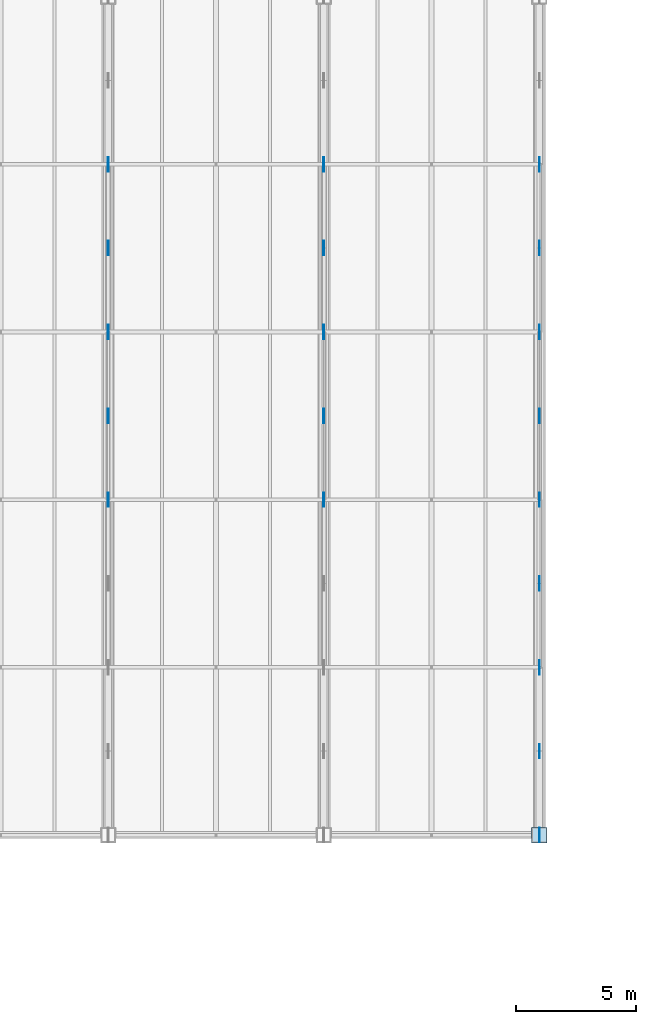
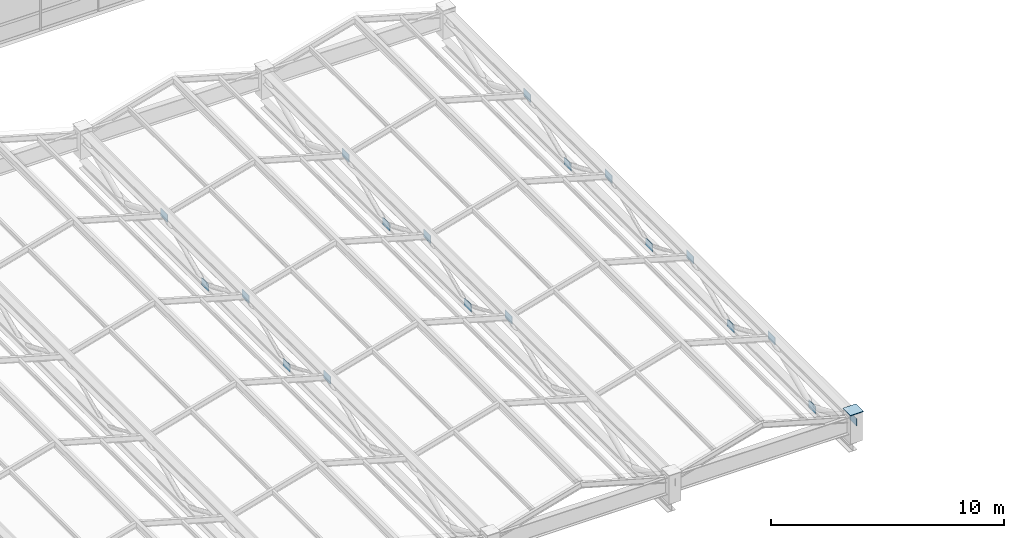
# One storey, part 72 of 108: 20 plates.
"""IFC4 building model written with IfcOpenShell, lengths in metres."""

from ifc_helpers import new_model, si_unit, direction, frame, origin, origin_2d, place, context, subcontext, project, spatial, rectangle, extrude, material, layer, layer_set, type_object, element, save


model = new_model("IFC4")

# Units and contexts
model_context = context("Model", 3, precision=1e-05, world=origin(), true_north=direction((0.0, 1.0)))
body_context = subcontext(model_context, "Body", "Model", "MODEL_VIEW")
ifc_project = project(units=[si_unit("LENGTHUNIT", "METRE"), si_unit("AREAUNIT", "SQUARE_METRE"), si_unit("VOLUMEUNIT", "CUBIC_METRE"), si_unit("PLANEANGLEUNIT", "RADIAN"), si_unit("MASSUNIT", "GRAM", prefix="KILO")], contexts=[model_context])

# Site, building, storey
site_placement = place(None, origin())
site = spatial("IfcSite", under=ifc_project, at=site_placement, CompositionType="ELEMENT")
building_placement = place(site_placement, origin())
building = spatial("IfcBuilding", under=site, at=building_placement, Name="Suzunagisa Mobility Hub", CompositionType="ELEMENT")
storey_placement = place(building_placement, frame((0.0, 0.0, 9.300048828125)))
storey = spatial("IfcBuildingStorey", under=building, at=storey_placement, Name="L02", CompositionType="ELEMENT", Elevation=9.300048828125)

# Plates
ifc_material = material(Name="Steel SN490B", Category="steel")
ifc_layer_1 = layer(ifc_material, 0.031982421875)
ifc_layer_set_1 = layer_set([ifc_layer_1], Name="Steel SN490B")
plate_type_1 = type_object("IfcPlateType", Name="Structural Steel Plate SP-05 650x650x32", PredefinedType="USERDEFINED", material=ifc_layer_set_1)
plate_placement = place(storey_placement, frame((117.0, 36.0, 1.5), z_axis=(0.0, 0.0, 1.0), x_axis=(1.0, 0.0, 0.0)))
element("IfcPlate", 1, at=plate_placement, inside=storey, type_object=plate_type_1, Name="L02 Column Cap Plate CP-212", ObjectType="BASE PLATE", PredefinedType="USERDEFINED", context=body_context, shape_type="SweptSolid", body=[
    extrude(rectangle(XDim=0.64990234375, YDim=0.64990234375, at=origin_2d()), origin(), (0.0, 0.0, 1.0), 0.031982421875),
])
ifc_layer_2 = layer(ifc_material, 0.028076171875)
ifc_layer_set_2 = layer_set([ifc_layer_2], Name="Steel SN490B")
plate_type_2 = type_object("IfcPlateType", Name="Structural Steel Plate SP-06 600x400x28", PredefinedType="USERDEFINED", material=ifc_layer_set_2)
for number, where, z_axis, x_axis, name in (
    (2, (99.0, 53.5, -0.646240234375), (0.0, 0.0, 1.0), (1.0, 0.0, 0.0), "Folded-Plate Truss Node Gusset GP-69"),
    (3, (99.0, 60.5, -0.646240234375), (0.0, 0.0, 1.0), (1.0, 0.0, 0.0), "Folded-Plate Truss Node Gusset GP-70"),
    (4, (99.0, 50.0, 0.853759765625), (0.0, 0.0, 1.0), (1.0, 0.0, 0.0), "Folded-Plate Truss Top-Chord Node Gusset TGP-74"),
    (5, (99.0, 57.0, 0.853759765625), (0.0, 0.0, 1.0), (1.0, 0.0, 0.0), "Folded-Plate Truss Top-Chord Node Gusset TGP-75"),
    (6, (99.0, 64.0, 0.853759765625), (0.0, 0.0, 1.0), (1.0, 0.0, 0.0), "Folded-Plate Truss Top-Chord Node Gusset TGP-76"),
    (7, (108.0, 53.5, -0.646240234375), (0.0, 0.0, 1.0), (1.0, 0.0, 0.0), "Folded-Plate Truss Node Gusset GP-80"),
    (8, (108.0, 60.5, -0.646240234375), (0.0, 0.0, 1.0), (1.0, 0.0, 0.0), "Folded-Plate Truss Node Gusset GP-81"),
    (9, (108.0, 50.0, 0.853759765625), (0.0, 0.0, 1.0), (1.0, 0.0, 0.0), "Folded-Plate Truss Top-Chord Node Gusset TGP-85"),
    (10, (108.0, 57.0, 0.853759765625), (0.0, 0.0, 1.0), (1.0, 0.0, 0.0), "Folded-Plate Truss Top-Chord Node Gusset TGP-86"),
    (11, (108.0, 64.0, 0.853759765625), (0.0, 0.0, 1.0), (1.0, 0.0, 0.0), "Folded-Plate Truss Top-Chord Node Gusset TGP-87"),
    (12, (117.0, 39.5, -0.646240234375), (0.0, 0.0, 1.0), (1.0, 0.0, 0.0), "Folded-Plate Truss Node Gusset GP-89"),
    (13, (117.0, 46.5, -0.646240234375), (0.0, 0.0, 1.0), (1.0, 0.0, 0.0), "Folded-Plate Truss Node Gusset GP-90"),
    (14, (117.0, 53.5, -0.646240234375), (0.0, 0.0, 1.0), (1.0, 0.0, 0.0), "Folded-Plate Truss Node Gusset GP-91"),
    (15, (117.0, 60.5, -0.646240234375), (0.0, 0.0, 1.0), (1.0, 0.0, 0.0), "Folded-Plate Truss Node Gusset GP-92"),
    (16, (117.0, 36.0, 0.853759765625), (0.0, 0.0, 1.0), (1.0, 0.0, 0.0), "Folded-Plate Truss Top-Chord Node Gusset TGP-94"),
    (17, (117.0, 43.0, 0.853759765625), (0.0, 0.0, 1.0), (1.0, 0.0, 0.0), "Folded-Plate Truss Top-Chord Node Gusset TGP-95"),
    (18, (117.0, 50.0, 0.853759765625), (0.0, 0.0, 1.0), (1.0, 0.0, 0.0), "Folded-Plate Truss Top-Chord Node Gusset TGP-96"),
    (19, (117.0, 57.0, 0.853759765625), (0.0, 0.0, 1.0), (1.0, 0.0, 0.0), "Folded-Plate Truss Top-Chord Node Gusset TGP-97"),
    (20, (117.0, 64.0, 0.853759765625), (0.0, 0.0, 1.0), (1.0, 0.0, 0.0), "Folded-Plate Truss Top-Chord Node Gusset TGP-98"),
):
    element("IfcPlate", number, at=place(storey_placement, frame(where, z_axis=z_axis, x_axis=x_axis)), inside=storey, type_object=plate_type_2, Name=name, ObjectType="GUSSET PLATE", PredefinedType="USERDEFINED", context=body_context, shape_type="SweptSolid", body=[
        extrude(rectangle(XDim=0.028076171875, YDim=0.60009765625, at=origin_2d()), origin(), (0.0, 0.0, 1.0), 0.39990234375),
    ])

save(model, "model.ifc")
